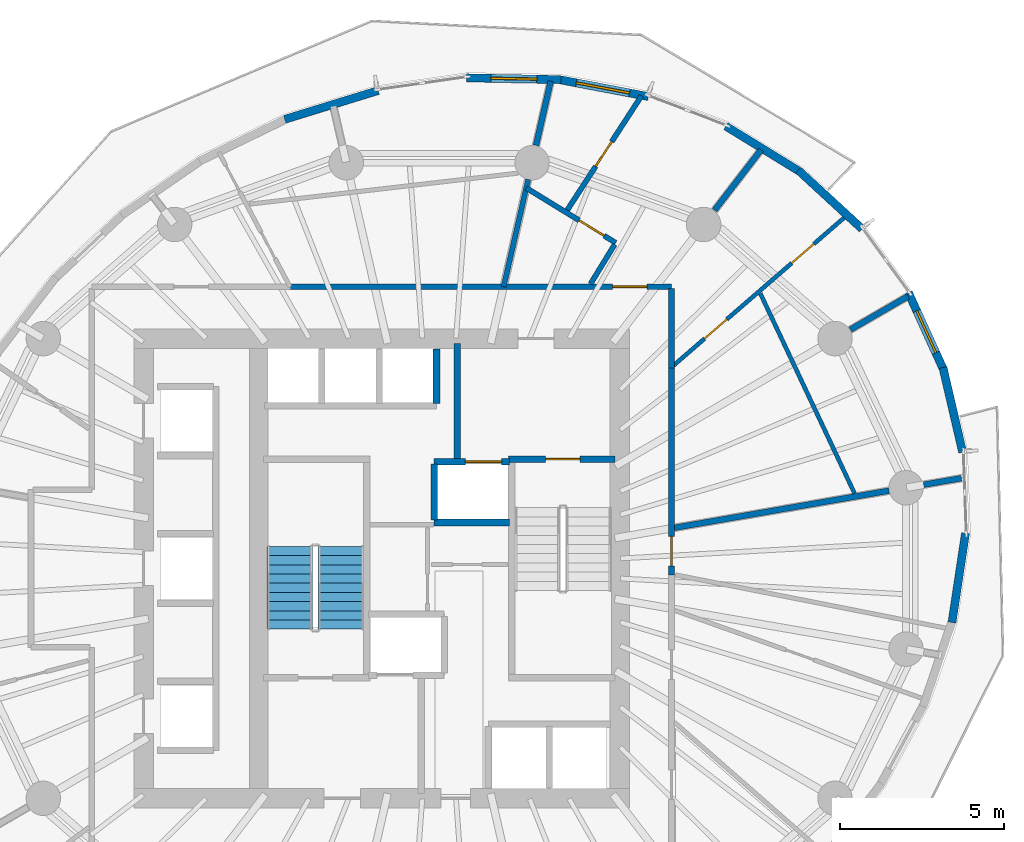
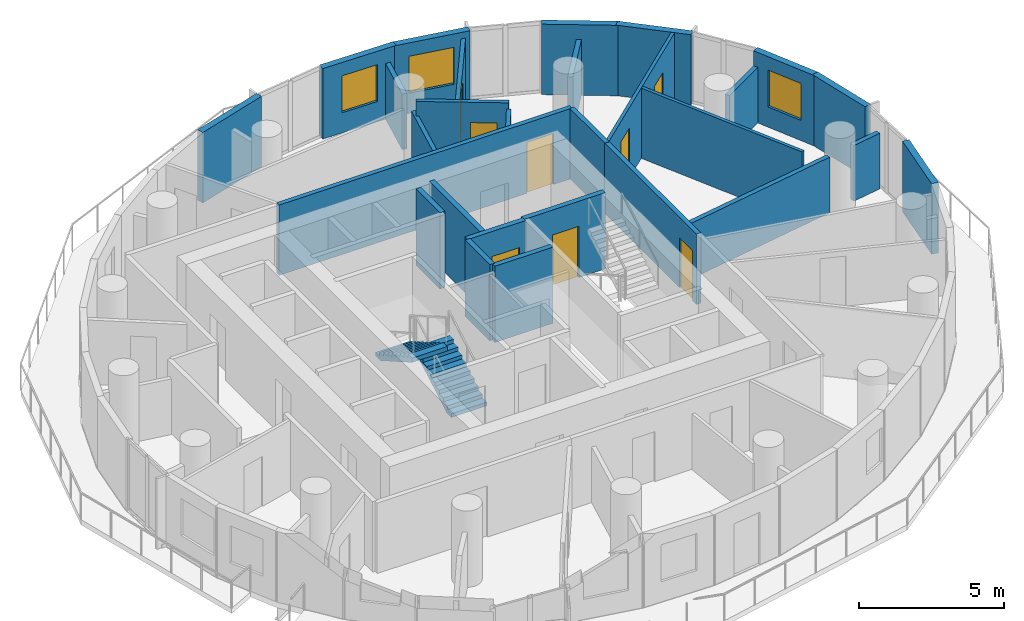
# One storey, part 8 of 14: 28 walls, 8 doors, 3 windows, 2 stair flights, 11 openings, 1 element without a shape of its own.
"""IFC4 building model written with IfcOpenShell, lengths in metres."""

import ifcopenshell
import ifcopenshell.guid

model = None  # the IFC model being written
_history = None  # IfcOwnerHistory: only IFC2X3 demands one
_inside = {}  # id of a spatial element -> (the spatial element, [elements in it])
_under = {}  # id of a project, library or spatial element -> (it, [spatial elements below it])
_declared = {}  # id of a project -> (the project, [libraries it declares])
_typed = {}  # id of a type object -> (the type object, [elements of that type])
_made_of = {}  # id of a material, layer set ... -> (it, [elements and type objects made of it])


def new_model(schema):
    """Start an empty IFC model of exactly this schema.

    Asked for "IFC4X3", IfcOpenShell would pick the latest addendum, in which some entities
    have other attributes; the version numbers below select the first issue.
    IFC2X3 requires an IfcOwnerHistory on every rooted entity: one is made here for all.
    """
    global model, _history
    if schema == "IFC4X3":
        model = ifcopenshell.file(schema_version=(4, 3, 0, 0))
    else:
        model = ifcopenshell.file(schema=schema)
    _inside.clear()
    _under.clear()
    _declared.clear()
    _typed.clear()
    _made_of.clear()
    _history = None
    if model.schema == "IFC2X3":
        org = make("IfcOrganization", Name="unknown")
        user = make(
            "IfcPersonAndOrganization",
            ThePerson=make("IfcPerson", FamilyName="unknown"),
            TheOrganization=org,
        )
        app = make(
            "IfcApplication",
            ApplicationDeveloper=org,
            Version="unknown",
            ApplicationFullName="unknown",
            ApplicationIdentifier="unknown",
        )
        _history = make(
            "IfcOwnerHistory",
            OwningUser=user,
            OwningApplication=app,
            ChangeAction="ADDED",
            CreationDate=0,
        )
    return model


def make(cls, **values):
    """One entity of the class cls with the attributes given. An attribute that is None is left unset."""
    return model.create_entity(
        cls, **{name: value for name, value in values.items() if value is not None}
    )


def rooted(cls, **values):
    """An entity with a GlobalId (a new one), such as an element, a storey or a relation."""
    return make(cls, GlobalId=ifcopenshell.guid.new(), OwnerHistory=_history, **values)


def si_unit(unit_type, name, prefix=None):
    """IfcSIUnit, for example si_unit("LENGTHUNIT", "METRE", prefix="MILLI")."""
    return make("IfcSIUnit", UnitType=unit_type, Prefix=prefix, Name=name)


def assignment(units):
    """IfcUnitAssignment: the units of a project."""
    return None if units is None else make("IfcUnitAssignment", Units=units)


def point(xyz):
    """IfcCartesianPoint."""
    return None if xyz is None else make("IfcCartesianPoint", Coordinates=xyz)


def direction(xyz):
    """IfcDirection."""
    return None if xyz is None else make("IfcDirection", DirectionRatios=xyz)


def frame(location, z_axis=None, x_axis=None):
    """IfcAxis2Placement3D, a coordinate frame: its origin and axes. An axis left out is left unset."""
    return make(
        "IfcAxis2Placement3D",
        Location=point(location),
        Axis=direction(z_axis),
        RefDirection=direction(x_axis),
    )


def frame_2d(location, x_axis=None):
    """IfcAxis2Placement2D, a coordinate frame in the plane: its origin and x axis."""
    return make(
        "IfcAxis2Placement2D", Location=point(location), RefDirection=direction(x_axis)
    )


def origin():
    """The frame at (0, 0, 0) with its axes left unset."""
    return frame((0.0, 0.0, 0.0))


def place(relative_to, where):
    """IfcLocalPlacement: puts the frame where relative to a parent placement (None: the world)."""
    return make(
        "IfcLocalPlacement", PlacementRelTo=relative_to, RelativePlacement=where
    )


def context(
    kind, dimensions, precision=None, world=None, true_north=None, identifier=None
):
    """IfcGeometricRepresentationContext, for example the 3D "Model" context."""
    return make(
        "IfcGeometricRepresentationContext",
        ContextIdentifier=identifier,
        ContextType=kind,
        CoordinateSpaceDimension=dimensions,
        Precision=precision,
        WorldCoordinateSystem=world,
        TrueNorth=true_north,
    )


def subcontext(parent, identifier, kind, view, scale=None):
    """IfcGeometricRepresentationSubContext, for example "Body" below "Model"."""
    return make(
        "IfcGeometricRepresentationSubContext",
        ContextIdentifier=identifier,
        ContextType=kind,
        ParentContext=parent,
        TargetScale=scale,
        TargetView=view,
    )


def project(units=None, contexts=None):
    """IfcProject with its units and contexts."""
    return rooted(
        "IfcProject",
        Name="project",
        RepresentationContexts=contexts,
        UnitsInContext=assignment(units),
    )


def spatial(cls, under=None, at=None, **own):
    """A site, building, storey or space (cls), placed at a placement, below another one or the project."""
    s = rooted(cls, ObjectPlacement=at, **own)
    if under is not None:
        _under.setdefault(under.id(), (under, []))[1].append(s)
    return s


def polyline(points):
    """IfcPolyline through the points."""
    return make("IfcPolyline", Points=[point(p) for p in points])


def profile(cls, at=None, kind="AREA", **sizes):
    """A parametric profile (cls). Its sizes go by their IFC names, for example OverallWidth=200.0."""
    return make(cls, ProfileType=kind, Position=at, **sizes)


def rectangle(**sizes):
    """IfcRectangleProfileDef."""
    return profile("IfcRectangleProfileDef", **sizes)


def outline(outer, holes=None, kind="AREA"):
    """IfcArbitraryClosedProfileDef: a profile drawn as a closed curve; with holes, ...WithVoids."""
    if holes is None:
        return make("IfcArbitraryClosedProfileDef", ProfileType=kind, OuterCurve=outer)
    return make(
        "IfcArbitraryProfileDefWithVoids",
        ProfileType=kind,
        OuterCurve=outer,
        InnerCurves=holes,
    )


def extrude(swept, where, along, depth):
    """IfcExtrudedAreaSolid: the profile swept, set in the frame where, extruded along a direction by depth."""
    return make(
        "IfcExtrudedAreaSolid",
        SweptArea=swept,
        Position=where,
        ExtrudedDirection=direction(along),
        Depth=depth,
    )


def shape(context_of_items, identifier, shape_type, items):
    """IfcShapeRepresentation: the items that make up one representation, for example the "Body"."""
    return make(
        "IfcShapeRepresentation",
        ContextOfItems=context_of_items,
        RepresentationIdentifier=identifier,
        RepresentationType=shape_type,
        Items=items,
    )


def material(Name=None, Category=None):
    """IfcMaterial."""
    return make("IfcMaterial", Name=Name, Category=Category)


def layer(
    of_material, thickness, ventilated=None, Name=None, Category=None, Priority=None
):
    """IfcMaterialLayer: one layer of a wall or slab, of a material (None: an air gap)."""
    return make(
        "IfcMaterialLayer",
        Material=of_material,
        LayerThickness=thickness,
        IsVentilated=ventilated,
        Name=Name,
        Category=Category,
        Priority=Priority,
    )


def layer_set(layers, Name=None):
    """IfcMaterialLayerSet."""
    return make("IfcMaterialLayerSet", MaterialLayers=layers, LayerSetName=Name)


def made_of(thing, what):
    """Note that an element or type object is made of a material, layer set ...; save() writes the relation."""
    if what is not None:
        _made_of.setdefault(what.id(), (what, []))[1].append(thing)
    return thing


def type_object(cls, material=None, **own):
    """A type object (cls), such as IfcWallType, which elements share."""
    return made_of(rooted(cls, **own), material)


def element(
    cls,
    number,
    at=None,
    inside=None,
    cuts=None,
    type_object=None,
    material=None,
    context=None,
    identifier="Body",
    shape_type=None,
    held_by="IfcProductDefinitionShape",
    body=None,
    shapes=None,
    **own,
):
    """One element of the class cls, such as IfcWall. Its Tag is "e" and its number.

    at: its placement. inside: the storey or other place that contains it. cuts: it is an
    opening in that element (IfcRelVoidsElement). A single representation is given by context,
    identifier, shape_type and body (its items); several are given by shapes. held_by: the class
    of the entity that holds the representations. save() writes the other relations.
    """
    e = rooted(cls, Tag="e%d" % number, ObjectPlacement=at, **own)
    if body is not None:
        shapes = [shape(context, identifier, shape_type, body)]
    if shapes is not None:
        e.Representation = make(held_by, Representations=shapes)
    if inside is not None:
        _inside.setdefault(inside.id(), (inside, []))[1].append(e)
    if cuts is not None:
        rooted(
            "IfcRelVoidsElement", RelatingBuildingElement=cuts, RelatedOpeningElement=e
        )
    if type_object is not None:
        _typed.setdefault(type_object.id(), (type_object, []))[1].append(e)
    return made_of(e, material)


def fill(opening, filler):
    """IfcRelFillsElement: the door or window that sits in an opening."""
    return rooted(
        "IfcRelFillsElement",
        RelatingOpeningElement=opening,
        RelatedBuildingElement=filler,
    )


def aggregate(whole, parts):
    """IfcRelAggregates: a whole, such as a stair, and the parts it consists of."""
    return rooted("IfcRelAggregates", RelatingObject=whole, RelatedObjects=parts)


def save(model, path):
    """Write the relations noted so far, then the file.

    IfcRelAggregates (storeys below a building ...), IfcRelContainedInSpatialStructure (elements
    in a storey), IfcRelDefinesByType, IfcRelAssociatesMaterial and IfcRelDeclares: one each for
    every whole, place, type object, material and project.
    """
    for whole, parts in _under.values():
        aggregate(whole, parts)
    for where, things in _inside.values():
        rooted(
            "IfcRelContainedInSpatialStructure",
            RelatedElements=things,
            RelatingStructure=where,
        )
    for kind, things in _typed.values():
        rooted("IfcRelDefinesByType", RelatedObjects=things, RelatingType=kind)
    for what, things in _made_of.values():
        rooted("IfcRelAssociatesMaterial", RelatedObjects=things, RelatingMaterial=what)
    for by, libraries in _declared.values():
        rooted("IfcRelDeclares", RelatingContext=by, RelatedDefinitions=libraries)
    model.write(path)


model = new_model("IFC4")

# Units and contexts
model_context = context("Model", 3, precision=1e-05, world=origin(), true_north=direction((0.0, 1.0)))
body_context = subcontext(model_context, "Body", "Model", "MODEL_VIEW")
ifc_project = project(units=[si_unit("LENGTHUNIT", "METRE"), si_unit("AREAUNIT", "SQUARE_METRE"), si_unit("VOLUMEUNIT", "CUBIC_METRE"), si_unit("PLANEANGLEUNIT", "RADIAN"), si_unit("MASSUNIT", "GRAM", prefix="KILO")], contexts=[model_context])

# Site, building, storey
site_placement = place(None, origin())
site = spatial("IfcSite", under=ifc_project, at=site_placement, CompositionType="ELEMENT")
building_placement = place(site_placement, origin())
building = spatial("IfcBuilding", under=site, at=building_placement, Name="Veldorim Arch Residences", CompositionType="ELEMENT")
storey_placement = place(building_placement, frame((0.0, 0.0, 129.760009765625)))
storey = spatial("IfcBuildingStorey", under=building, at=storey_placement, Name="L38", CompositionType="ELEMENT", Elevation=129.760009765625)

# Wall, openings, doors
ifc_material_1 = material(Name="Acoustic Gypsum Board", Category="gypsum")
ifc_layer_1 = layer(ifc_material_1, 0.125, Name="Acoustic Stud Room Partition Wall 125")
ifc_layer_set_1 = layer_set([ifc_layer_1], Name="Acoustic Gypsum Board")
wall_type_1 = type_object("IfcWallType", Name="Acoustic Stud Room Partition Wall 125", PredefinedType="PARTITIONING", material=ifc_layer_set_1)
wall_1_placement = place(storey_placement, frame((44.415283203125, 34.75244140625, 0.0), z_axis=(0.0, 0.0, 1.0), x_axis=(-0.755899043164, -0.654688197957, 0.0)))
wall_1 = element("IfcWall", 1, at=wall_1_placement, inside=storey, type_object=wall_type_1, Name="L38 interior wall WL-RES-L38-021", PredefinedType="PARTITIONING", context=body_context, shape_type="SweptSolid", body=[
    extrude(rectangle(XDim=7.05810546875, YDim=0.125, at=frame_2d((3.529052734375, 0.0))), origin(), (0.0, 0.0, 1.0), 2.955078125),
])
opening_1_placement = place(wall_1_placement, frame((1.322998046875, 0.0, 0.0)))
opening_1 = element("IfcOpeningElement", 2, at=opening_1_placement, cuts=wall_1, Name="Opening DR-INT", PredefinedType="OPENING", context=body_context, shape_type="SweptSolid", body=[
    extrude(rectangle(XDim=0.89990234375, YDim=2.10009765625, at=frame_2d((0.449951171875, 1.050048828125))), frame((0.0, 0.072509765625, 0.0), z_axis=(0.0, -1.0, 0.0), x_axis=(1.0, 0.0, 0.0)), (0.0, 0.0, 1.0), 0.14501953125),
])
opening_2_placement = place(wall_1_placement, frame((4.83154296875, 0.0, 0.0)))
opening_2 = element("IfcOpeningElement", 3, at=opening_2_placement, cuts=wall_1, Name="Opening DR-INT", PredefinedType="OPENING", context=body_context, shape_type="SweptSolid", body=[
    extrude(rectangle(XDim=0.89990234375, YDim=2.10009765625, at=frame_2d((0.449951171875, 1.050048828125))), frame((0.0, 0.072509765625, 0.0), z_axis=(0.0, -1.0, 0.0), x_axis=(1.0, 0.0, 0.0)), (0.0, 0.0, 1.0), 0.14501953125),
])
ifc_material_2 = material(Name="Engineered Timber", Category="wood")
door_type_1 = type_object("IfcDoorType", Name="Apartment Internal Room Timber Door 900x2100", OperationType="SINGLE_SWING_LEFT", PredefinedType="DOOR", material=ifc_material_2)
door_1_placement = place(opening_1_placement, origin())
door_1 = element("IfcDoor", 4, at=door_1_placement, inside=storey, type_object=door_type_1, Name="L38 interior door DR-RES-L38-009", OperationType="SINGLE_SWING_LEFT", OverallHeight=2.10009765625, OverallWidth=0.89990234375, PredefinedType="DOOR", context=body_context, shape_type="SweptSolid", body=[
    extrude(rectangle(XDim=0.89990234375, YDim=2.10009765625, at=frame_2d((0.449951171875, 1.050048828125))), frame((0.0, 0.02490234375, 0.0), z_axis=(0.0, -1.0, 0.0), x_axis=(1.0, 0.0, 0.0)), (0.0, 0.0, 1.0), 0.050048828125),
])
fill(opening_1, door_1)
door_2_placement = place(opening_2_placement, origin())
door_2 = element("IfcDoor", 5, at=door_2_placement, inside=storey, type_object=door_type_1, Name="L38 interior door DR-RES-L38-010", OperationType="SINGLE_SWING_RIGHT", OverallHeight=2.10009765625, OverallWidth=0.89990234375, PredefinedType="DOOR", context=body_context, shape_type="SweptSolid", body=[
    extrude(rectangle(XDim=0.89990234375, YDim=2.10009765625, at=frame_2d((0.449951171875, 1.050048828125))), frame((0.0, 0.02490234375, 0.0), z_axis=(0.0, -1.0, 0.0), x_axis=(1.0, 0.0, 0.0)), (0.0, 0.0, 1.0), 0.050048828125),
])
fill(opening_2, door_2)

# Walls
wall_2_placement = place(storey_placement, frame((44.6533203125, 26.284912109375, 0.0), z_axis=(0.0, 0.0, 1.0), x_axis=(-0.426326363779, 0.90456941776, 0.0)))
element("IfcWall", 6, at=wall_2_placement, inside=storey, type_object=wall_type_1, Name="L38 interior wall WL-RES-L38-025", PredefinedType="PARTITIONING", context=body_context, shape_type="SweptSolid", body=[
    extrude(rectangle(XDim=6.729248046875, YDim=0.125, at=frame_2d((3.36474609375, 0.0))), origin(), (0.0, 0.0, 1.0), 2.955078125),
])
ifc_material_3 = material(Name="Lightweight Masonry Block & Gypsum", Category="masonry")
ifc_layer_2 = layer(ifc_material_3, 0.179931640625, Name="Compartment & Corridor Fire-Rated Party Wall 180")
ifc_layer_set_2 = layer_set([ifc_layer_2], Name="Lightweight Masonry Block & Gypsum")
wall_type_2 = type_object("IfcWallType", Name="Compartment & Corridor Fire-Rated Party Wall 180", PredefinedType="PARTITIONING", material=ifc_layer_set_2)
wall_3_placement = place(storey_placement, frame((46.75830078125, 26.55078125, 0.0), z_axis=(0.0, 0.0, 1.0), x_axis=(0.98537549431, 0.170396992969, 0.0)))
element("IfcWall", 7, at=wall_3_placement, inside=storey, type_object=wall_type_2, Name="L38 interior wall WL-PIER-L38-01", PredefinedType="PARTITIONING", context=body_context, shape_type="SweptSolid", body=[
    extrude(rectangle(XDim=1.167724609375, YDim=0.179931640625, at=frame_2d((0.583984375, 0.0))), origin(), (0.0, 0.0, 1.0), 2.335693359375),
])
wall_4_placement = place(storey_placement, frame((44.527587890625, 31.27392578125, 0.0), z_axis=(0.0, 0.0, 1.0), x_axis=(0.86481084581, 0.502097800203, 0.0)))
element("IfcWall", 8, at=wall_4_placement, inside=storey, type_object=wall_type_2, Name="L38 interior wall WL-PIER-L38-02", PredefinedType="PARTITIONING", context=body_context, shape_type="SweptSolid", body=[
    extrude(rectangle(XDim=2.030029296875, YDim=0.179931640625, at=frame_2d((1.01513671875, 0.0))), origin(), (0.0, 0.0, 1.0), 2.335693359375),
])
wall_5_placement = place(storey_placement, frame((40.387939453125, 34.908447265625, 0.0), z_axis=(0.0, 0.0, 1.0), x_axis=(0.609553382458, 0.792745024541, 0.0)))
element("IfcWall", 9, at=wall_5_placement, inside=storey, type_object=wall_type_2, Name="L38 interior wall WL-PIER-L38-03", PredefinedType="PARTITIONING", context=body_context, shape_type="SweptSolid", body=[
    extrude(rectangle(XDim=2.32421875, YDim=0.179931640625, at=frame_2d((1.162109375, 0.0))), origin(), (0.0, 0.0, 1.0), 2.335693359375),
])
wall_6_placement = place(storey_placement, frame((34.950439453125, 36.88916015625, 0.0), z_axis=(0.0, 0.0, 1.0), x_axis=(0.2231492674, 0.974784286116, 0.0)))
element("IfcWall", 10, at=wall_6_placement, inside=storey, type_object=wall_type_2, Name="L38 interior wall WL-PIER-L38-04", PredefinedType="PARTITIONING", context=body_context, shape_type="SweptSolid", body=[
    extrude(rectangle(XDim=2.002197265625, YDim=0.179931640625, at=frame_2d((1.0009765625, 0.0))), origin(), (0.0, 0.0, 1.0), 2.335693359375),
])

# Wall, opening, door
wall_7_placement = place(storey_placement, frame((39.080078125, 30.158203125, 0.0), z_axis=(0.0, 0.0, 1.0), x_axis=(0.0, -1.0, 0.0)))
wall_7 = element("IfcWall", 11, at=wall_7_placement, inside=storey, type_object=wall_type_2, Name="L38 interior wall WL-RES-L38-003", PredefinedType="PARTITIONING", context=body_context, shape_type="SweptSolid", body=[
    extrude(rectangle(XDim=6.350341796875, YDim=0.179931640625, at=frame_2d((3.17529296875, 0.0))), origin(), (0.0, 0.0, 1.0), 2.955078125),
])
opening_3_placement = place(wall_7_placement, frame((5.18212890625, 0.0, 0.0)))
opening_3 = element("IfcOpeningElement", 12, at=opening_3_placement, cuts=wall_7, Name="Opening DR-INT", PredefinedType="OPENING", context=body_context, shape_type="SweptSolid", body=[
    extrude(rectangle(XDim=0.89990234375, YDim=2.10009765625, at=frame_2d((0.449951171875, 1.050048828125))), frame((0.0, 0.099853515625, 0.0), z_axis=(0.0, -1.0, 0.0), x_axis=(1.0, 0.0, 0.0)), (0.0, 0.0, 1.0), 0.199951171875),
])
door_3_placement = place(opening_3_placement, origin())
door_3 = element("IfcDoor", 13, at=door_3_placement, inside=storey, type_object=door_type_1, Name="L38 interior door DR-RES-L38-005", OperationType="SINGLE_SWING_LEFT", OverallHeight=2.10009765625, OverallWidth=0.89990234375, PredefinedType="DOOR", context=body_context, shape_type="SweptSolid", body=[
    extrude(rectangle(XDim=0.89990234375, YDim=2.10009765625, at=frame_2d((0.449951171875, 1.050048828125))), frame((0.0, 0.02490234375, 0.0), z_axis=(0.0, -1.0, 0.0), x_axis=(1.0, 0.0, 0.0)), (0.0, 0.0, 1.0), 0.050048828125),
])
fill(opening_3, door_3)

wall_8_placement = place(storey_placement, frame((27.435302734375, 32.580078125, 0.0), z_axis=(0.0, 0.0, 1.0), x_axis=(1.0, 0.0, 0.0)))
wall_8 = element("IfcWall", 14, at=wall_8_placement, inside=storey, type_object=wall_type_2, Name="L38 interior wall WL-RES-L38-004", PredefinedType="PARTITIONING", context=body_context, shape_type="SweptSolid", body=[
    extrude(rectangle(XDim=11.644775390625, YDim=0.179931640625, at=frame_2d((5.822265625, 0.0))), origin(), (0.0, 0.0, 1.0), 2.955078125),
])
opening_4_placement = place(wall_8_placement, frame((9.848388671875, 0.0, 0.0)))
opening_4 = element("IfcOpeningElement", 15, at=opening_4_placement, cuts=wall_8, Name="Opening DR-FLT", PredefinedType="OPENING", context=body_context, shape_type="SweptSolid", body=[
    extrude(rectangle(XDim=1.050048828125, YDim=2.14990234375, at=frame_2d((0.52490234375, 1.074951171875))), frame((0.0, 0.099853515625, 0.0), z_axis=(0.0, -1.0, 0.0), x_axis=(1.0, 0.0, 0.0)), (0.0, 0.0, 1.0), 0.199951171875),
])
ifc_material_4 = material(Name="Fire-Rated Timber", Category="wood")
door_type_2 = type_object("IfcDoorType", Name="Apartment Entrance Solid-Core Fire Door 1050x2150", OperationType="SINGLE_SWING_LEFT", PredefinedType="DOOR", material=ifc_material_4)
door_4_placement = place(opening_4_placement, origin())
door_4 = element("IfcDoor", 16, at=door_4_placement, inside=storey, type_object=door_type_2, Name="L38 interior door DR-RES-L38-007", OperationType="SINGLE_SWING_LEFT", OverallHeight=2.14990234375, OverallWidth=1.050048828125, PredefinedType="DOOR", context=body_context, shape_type="SweptSolid", body=[
    extrude(rectangle(XDim=1.050048828125, YDim=2.14990234375, at=frame_2d((0.52490234375, 1.074951171875))), frame((0.0, 0.02490234375, 0.0), z_axis=(0.0, -1.0, 0.0), x_axis=(1.0, 0.0, 0.0)), (0.0, 0.0, 1.0), 0.050048828125),
])
fill(opening_4, door_4)

# Walls
wall_9_placement = place(storey_placement, frame((39.080078125, 32.52001953125, 0.0), z_axis=(0.0, 0.0, 1.0), x_axis=(0.0, -1.0, 0.0)))
element("IfcWall", 17, at=wall_9_placement, inside=storey, type_object=wall_type_2, Name="L38 interior wall WL-RES-L38-005", PredefinedType="PARTITIONING", context=body_context, shape_type="SweptSolid", body=[
    extrude(rectangle(XDim=2.408203125, YDim=0.179931640625, at=frame_2d((1.2041015625, 0.0))), origin(), (0.0, 0.0, 1.0), 2.955078125),
])
wall_10_placement = place(storey_placement, frame((39.080078125, 25.2236328125, 0.0), z_axis=(0.0, 0.0, 1.0), x_axis=(0.985384524795, 0.17034476304, 0.0)))
element("IfcWall", 18, at=wall_10_placement, inside=storey, type_object=wall_type_2, Name="L38 interior wall WL-RES-L38-019", PredefinedType="PARTITIONING", context=body_context, shape_type="SweptSolid", body=[
    extrude(rectangle(XDim=6.7216796875, YDim=0.179931640625, at=frame_2d((3.36083984375, 0.0))), origin(), (0.0, 0.0, 1.0), 2.335693359375),
])

# Wall, opening, door
ifc_material_5 = material(Name="Concrete C50/60", Category="concrete")
ifc_layer_3 = layer(ifc_material_5, 0.199951171875, Name="Core Stair & Lift Shaft Enclosure Wall 200")
ifc_layer_set_3 = layer_set([ifc_layer_3], Name="Concrete C50/60")
wall_type_3 = type_object("IfcWallType", Name="Core Stair & Lift Shaft Enclosure Wall 200", PredefinedType="SHEAR", material=ifc_layer_set_3)
wall_11_placement = place(storey_placement, frame((34.110107421875, 27.330078125, 0.0), z_axis=(0.0, 0.0, 1.0), x_axis=(1.0, 0.0, 0.0)))
wall_11 = element("IfcWall", 19, at=wall_11_placement, inside=storey, type_object=wall_type_3, Name="L38 shaft wall WL-SHF-L38-ST2-N", PredefinedType="SHEAR", context=body_context, shape_type="SweptSolid", body=[
    extrude(rectangle(XDim=3.239990234375, YDim=0.199951171875, at=frame_2d((1.6201171875, 0.0))), origin(), (0.0, 0.0, 1.0), 3.199951171875),
])
opening_5_placement = place(wall_11_placement, frame((1.135009765625, 0.0, 0.0)))
opening_5 = element("IfcOpeningElement", 20, at=opening_5_placement, cuts=wall_11, Name="Opening DR-ST", PredefinedType="OPENING", context=body_context, shape_type="SweptSolid", body=[
    extrude(rectangle(XDim=1.050048828125, YDim=2.14990234375, at=frame_2d((0.52490234375, 1.074951171875))), frame((0.0, 0.10986328125, 0.0), z_axis=(0.0, -1.0, 0.0), x_axis=(1.0, 0.0, 0.0)), (0.0, 0.0, 1.0), 0.219970703125),
])
ifc_material_6 = material(Name="Fire-Rated Steel", Category="steel")
door_type_3 = type_object("IfcDoorType", Name="Exit Staircase Self-Closing Fire Door 1050x2150", OperationType="SINGLE_SWING_LEFT", PredefinedType="DOOR", material=ifc_material_6)
door_5_placement = place(opening_5_placement, origin())
door_5 = element("IfcDoor", 21, at=door_5_placement, inside=storey, type_object=door_type_3, Name="L38 interior door DR-L38-ST2", OperationType="SINGLE_SWING_RIGHT", OverallHeight=2.14990234375, OverallWidth=1.050048828125, PredefinedType="DOOR", context=body_context, shape_type="SweptSolid", body=[
    extrude(rectangle(XDim=1.050048828125, YDim=2.14990234375, at=frame_2d((0.52490234375, 1.074951171875))), frame((0.0, 0.02490234375, 0.0), z_axis=(0.0, -1.0, 0.0), x_axis=(1.0, 0.0, 0.0)), (0.0, 0.0, 1.0), 0.050048828125),
])
fill(opening_5, door_5)

# Wall
wall_12_placement = place(storey_placement, frame((32.550048828125, 27.35009765625, 0.0), z_axis=(0.0, 0.0, 1.0), x_axis=(0.0, 1.0, 0.0)))
element("IfcWall", 22, at=wall_12_placement, inside=storey, type_object=wall_type_3, Name="L38 shaft wall WL-FFL2-L38-W", PredefinedType="SHEAR", context=body_context, shape_type="SweptSolid", body=[
    extrude(rectangle(XDim=3.5, YDim=0.199951171875, at=frame_2d((1.75, 0.0))), origin(), (0.0, 0.0, 1.0), 3.199951171875),
])

# Wall, opening, door
wall_13_placement = place(storey_placement, frame((31.85009765625, 27.25, 0.0), z_axis=(0.0, 0.0, 1.0), x_axis=(1.0, 0.0, 0.0)))
wall_13 = element("IfcWall", 23, at=wall_13_placement, inside=storey, type_object=wall_type_3, Name="L38 shaft wall WL-FL02-L38-N", PredefinedType="SHEAR", context=body_context, shape_type="SweptSolid", body=[
    extrude(rectangle(XDim=2.2998046875, YDim=0.199951171875, at=frame_2d((1.14990234375, 0.0))), origin(), (0.0, 0.0, 1.0), 3.199951171875),
])
opening_6_placement = place(wall_13_placement, frame((0.949951171875, 0.0, 0.0)))
opening_6 = element("IfcOpeningElement", 24, at=opening_6_placement, cuts=wall_13, Name="Opening LD-FF", PredefinedType="OPENING", context=body_context, shape_type="SweptSolid", body=[
    extrude(rectangle(XDim=1.10009765625, YDim=2.14990234375, at=frame_2d((0.550048828125, 1.074951171875))), frame((0.0, 0.10986328125, 0.0), z_axis=(0.0, -1.0, 0.0), x_axis=(1.0, 0.0, 0.0)), (0.0, 0.0, 1.0), 0.219970703125),
])
ifc_material_7 = material(Name="Stainless Steel", Category="steel")
door_type_4 = type_object("IfcDoorType", Name="Firefighting Lift Bi-Parting Sliding Landing Door 1100x2150", OperationType="DOUBLE_DOOR_SLIDING", PredefinedType="DOOR", material=ifc_material_7)
door_6_placement = place(opening_6_placement, origin())
door_6 = element("IfcDoor", 25, at=door_6_placement, inside=storey, type_object=door_type_4, Name="L38 lift landing door LD-L38-FL02", OperationType="DOUBLE_DOOR_SLIDING", OverallHeight=2.14990234375, OverallWidth=1.10009765625, PredefinedType="DOOR", context=body_context, shape_type="SweptSolid", body=[
    extrude(rectangle(XDim=1.10009765625, YDim=2.14990234375, at=frame_2d((0.550048828125, 1.074951171875))), frame((0.0, 0.02490234375, 0.0), z_axis=(0.0, -1.0, 0.0), x_axis=(1.0, 0.0, 0.0)), (0.0, 0.0, 1.0), 0.050048828125),
])
fill(opening_6, door_6)

# Walls
wall_14_placement = place(storey_placement, frame((31.85009765625, 25.39990234375, 0.0), z_axis=(0.0, 0.0, 1.0), x_axis=(1.0, 0.0, 0.0)))
element("IfcWall", 26, at=wall_14_placement, inside=storey, type_object=wall_type_3, Name="L38 shaft wall WL-FL02-L38-S", PredefinedType="SHEAR", context=body_context, shape_type="SweptSolid", body=[
    extrude(rectangle(XDim=2.2998046875, YDim=0.199951171875, at=frame_2d((1.14990234375, 0.0))), origin(), (0.0, 0.0, 1.0), 3.199951171875),
])
wall_15_placement = place(storey_placement, frame((31.85009765625, 25.469970703125, 0.0), z_axis=(0.0, 0.0, 1.0), x_axis=(0.0, 1.0, 0.0)))
element("IfcWall", 27, at=wall_15_placement, inside=storey, type_object=wall_type_3, Name="L38 shaft wall WL-FL02-L38-W", PredefinedType="SHEAR", context=body_context, shape_type="SweptSolid", body=[
    extrude(rectangle(XDim=1.7099609375, YDim=0.199951171875, at=frame_2d((0.85498046875, 0.0))), origin(), (0.0, 0.0, 1.0), 3.199951171875),
])
wall_16_placement = place(storey_placement, frame((31.919921875, 29.02001953125, 0.0), z_axis=(0.0, 0.0, 1.0), x_axis=(0.0, 1.0, 0.0)))
element("IfcWall", 28, at=wall_16_placement, inside=storey, type_object=wall_type_3, Name="L38 shaft wall WL-B3-L38-E", PredefinedType="SHEAR", context=body_context, shape_type="SweptSolid", body=[
    extrude(rectangle(XDim=1.659912109375, YDim=0.199951171875, at=frame_2d((0.830078125, 0.0))), origin(), (0.0, 0.0, 1.0), 3.199951171875),
])
ifc_material_8 = material(Name="Precast concrete C40/50", Category="concrete")
ifc_layer_4 = layer(ifc_material_8, 0.25, Name="Tower Terracotta Spandrel & Pier Wall 250")
ifc_layer_set_4 = layer_set([ifc_layer_4], Name="Precast concrete C40/50")
wall_type_4 = type_object("IfcWallType", Name="Tower Terracotta Spandrel & Pier Wall 250", PredefinedType="SOLIDWALL", material=ifc_layer_set_4)
wall_17_placement = place(storey_placement, frame((42.938720703125, 36.132080078125, 0.0), z_axis=(0.0, 0.0, 1.0), x_axis=(0.73572884951, -0.677276206579, 0.0)))
element("IfcWall", 29, at=wall_17_placement, inside=storey, type_object=wall_type_4, Name="L38 terracotta facade wall 02", PredefinedType="SOLIDWALL", context=body_context, shape_type="SweptSolid", body=[
    extrude(rectangle(XDim=2.64794921875, YDim=0.25, at=frame_2d((1.323974609375, 0.0))), origin(), (0.0, 0.0, 1.0), 2.9599609375),
])
wall_18_placement = place(storey_placement, frame((40.734619140625, 37.472900390625, 0.0), z_axis=(0.0, 0.0, 1.0), x_axis=(0.852103133134, -0.523373910797, 0.0)))
element("IfcWall", 30, at=wall_18_placement, inside=storey, type_object=wall_type_4, Name="L38 terracotta facade wall 03", PredefinedType="SOLIDWALL", context=body_context, shape_type="SweptSolid", body=[
    extrude(rectangle(XDim=2.69287109375, YDim=0.25, at=frame_2d((1.346435546875, 0.0))), origin(), (0.0, 0.0, 1.0), 2.9599609375),
])

# Wall, opening, window
wall_19_placement = place(storey_placement, frame((35.6044921875, 38.901123046875, 0.0), z_axis=(0.0, 0.0, 1.0), x_axis=(0.982412055756, -0.18672587583, 0.0)))
wall_19 = element("IfcWall", 31, at=wall_19_placement, inside=storey, type_object=wall_type_4, Name="L38 terracotta facade wall 05", PredefinedType="SOLIDWALL", context=body_context, shape_type="SweptSolid", body=[
    extrude(rectangle(XDim=2.817626953125, YDim=0.25, at=frame_2d((1.40869140625, 0.0))), origin(), (0.0, 0.0, 1.0), 2.9599609375),
])
opening_7_placement = place(wall_19_placement, frame((0.583984375, 0.0, 0.85009765625)))
opening_7 = element("IfcOpeningElement", 32, at=opening_7_placement, cuts=wall_19, Name="Opening WN-03", PredefinedType="OPENING", context=body_context, shape_type="SweptSolid", body=[
    extrude(rectangle(XDim=1.64990234375, YDim=1.550048828125, at=frame_2d((0.824951171875, 0.77490234375))), frame((0.0, 0.135009765625, 0.0), z_axis=(0.0, -1.0, 0.0), x_axis=(1.0, 0.0, 0.0)), (0.0, 0.0, 1.0), 0.27001953125),
])
ifc_material_9 = material(Name="Laminated Low-E Glass", Category="glass")
window_type_1 = type_object("IfcWindowType", Name="Residential Wide Window 1650x1550", PartitioningType="SINGLE_PANEL", PredefinedType="WINDOW", material=ifc_material_9)
window_1_placement = place(opening_7_placement, origin())
window_1 = element("IfcWindow", 33, at=window_1_placement, inside=storey, type_object=window_type_1, Name="L38 solar-control facade window 05", OverallHeight=1.550048828125, OverallWidth=1.64990234375, PartitioningType="SINGLE_PANEL", PredefinedType="WINDOW", context=body_context, shape_type="SweptSolid", body=[
    extrude(rectangle(XDim=1.64990234375, YDim=1.550048828125, at=frame_2d((0.824951171875, 0.77490234375))), frame((0.0, 0.030029296875, 0.0), z_axis=(0.0, -1.0, 0.0), x_axis=(1.0, 0.0, 0.0)), (0.0, 0.0, 1.0), 0.06005859375),
])
fill(opening_7, window_1)

wall_20_placement = place(storey_placement, frame((32.83349609375, 38.944580078125, 0.0), z_axis=(0.0, 0.0, 1.0), x_axis=(0.99981990109, -0.018978023714, 0.0)))
wall_20 = element("IfcWall", 34, at=wall_20_placement, inside=storey, type_object=wall_type_4, Name="L38 terracotta facade wall 06", PredefinedType="SOLIDWALL", context=body_context, shape_type="SweptSolid", body=[
    extrude(rectangle(XDim=2.881591796875, YDim=0.25, at=frame_2d((1.44091796875, 0.0))), origin(), (0.0, 0.0, 1.0), 2.9599609375),
])
opening_8_placement = place(wall_20_placement, frame((0.740966796875, 0.0, 0.85009765625)))
opening_8 = element("IfcOpeningElement", 35, at=opening_8_placement, cuts=wall_20, Name="Opening WN-02", PredefinedType="OPENING", context=body_context, shape_type="SweptSolid", body=[
    extrude(rectangle(XDim=1.39990234375, YDim=1.550048828125, at=frame_2d((0.699951171875, 0.77490234375))), frame((0.0, 0.135009765625, 0.0), z_axis=(0.0, -1.0, 0.0), x_axis=(1.0, 0.0, 0.0)), (0.0, 0.0, 1.0), 0.27001953125),
])
ifc_material_10 = material(Name="Laminated Low-E Glass", Category="glass")
window_type_2 = type_object("IfcWindowType", Name="Residential Casement Window 1400x1550", PartitioningType="SINGLE_PANEL", PredefinedType="WINDOW", material=ifc_material_10)
window_2_placement = place(opening_8_placement, origin())
window_2 = element("IfcWindow", 36, at=window_2_placement, inside=storey, type_object=window_type_2, Name="L38 solar-control facade window 06", OverallHeight=1.550048828125, OverallWidth=1.39990234375, PartitioningType="SINGLE_PANEL", PredefinedType="WINDOW", context=body_context, shape_type="SweptSolid", body=[
    extrude(rectangle(XDim=1.39990234375, YDim=1.550048828125, at=frame_2d((0.699951171875, 0.77490234375))), frame((0.0, 0.030029296875, 0.0), z_axis=(0.0, -1.0, 0.0), x_axis=(1.0, 0.0, 0.0)), (0.0, 0.0, 1.0), 0.06005859375),
])
fill(opening_8, window_2)

# Walls
wall_21_placement = place(storey_placement, frame((27.297607421875, 37.681396484375, 0.0), z_axis=(0.0, 0.0, 1.0), x_axis=(0.955653025963, 0.294494981227, 0.0)))
element("IfcWall", 37, at=wall_21_placement, inside=storey, type_object=wall_type_4, Name="L38 terracotta facade wall 08", PredefinedType="SOLIDWALL", context=body_context, shape_type="SweptSolid", body=[
    extrude(rectangle(XDim=2.97705078125, YDim=0.25, at=frame_2d((1.488525390625, 0.0))), origin(), (0.0, 0.0, 1.0), 2.9599609375),
])
wall_22_placement = place(storey_placement, frame((48.033935546875, 25.07470703125, 0.0), z_axis=(0.0, 0.0, 1.0), x_axis=(-0.149576734229, -0.988750120393, 0.0)))
element("IfcWall", 38, at=wall_22_placement, inside=storey, type_object=wall_type_4, Name="L38 terracotta facade wall 33", PredefinedType="SOLIDWALL", context=body_context, shape_type="SweptSolid", body=[
    extrude(rectangle(XDim=2.751953125, YDim=0.25, at=frame_2d((1.3759765625, 0.0))), origin(), (0.0, 0.0, 1.0), 2.9599609375),
])
wall_23_placement = place(storey_placement, frame((47.34619140625, 30.1201171875, 0.0), z_axis=(0.0, 0.0, 1.0), x_axis=(0.226865331245, -0.973926137589, 0.0)))
element("IfcWall", 39, at=wall_23_placement, inside=storey, type_object=wall_type_4, Name="L38 terracotta facade wall 35", PredefinedType="SOLIDWALL", context=body_context, shape_type="SweptSolid", body=[
    extrude(rectangle(XDim=2.6484375, YDim=0.25, at=frame_2d((1.32421875, 0.0))), origin(), (0.0, 0.0, 1.0), 2.9599609375),
])

# Wall, opening, window
wall_24_placement = place(storey_placement, frame((46.295166015625, 32.399658203125, 0.0), z_axis=(0.0, 0.0, 1.0), x_axis=(0.41458087789, -0.910012470073, 0.0)))
wall_24 = element("IfcWall", 40, at=wall_24_placement, inside=storey, type_object=wall_type_4, Name="L38 terracotta facade wall 36", PredefinedType="SOLIDWALL", context=body_context, shape_type="SweptSolid", body=[
    extrude(rectangle(XDim=2.6240234375, YDim=0.25, at=frame_2d((1.31201171875, 0.0))), origin(), (0.0, 0.0, 1.0), 2.9599609375),
])
opening_9_placement = place(wall_24_placement, frame((0.612060546875, 0.0, 0.85009765625)))
opening_9 = element("IfcOpeningElement", 41, at=opening_9_placement, cuts=wall_24, Name="Opening WN-02", PredefinedType="OPENING", context=body_context, shape_type="SweptSolid", body=[
    extrude(rectangle(XDim=1.39990234375, YDim=1.550048828125, at=frame_2d((0.699951171875, 0.77490234375))), frame((0.0, 0.135009765625, 0.0), z_axis=(0.0, -1.0, 0.0), x_axis=(1.0, 0.0, 0.0)), (0.0, 0.0, 1.0), 0.27001953125),
])
window_3_placement = place(opening_9_placement, origin())
window_3 = element("IfcWindow", 42, at=window_3_placement, inside=storey, type_object=window_type_2, Name="L38 solar-control facade window 36", OverallHeight=1.550048828125, OverallWidth=1.39990234375, PartitioningType="SINGLE_PANEL", PredefinedType="WINDOW", context=body_context, shape_type="SweptSolid", body=[
    extrude(rectangle(XDim=1.39990234375, YDim=1.550048828125, at=frame_2d((0.699951171875, 0.77490234375))), frame((0.0, 0.030029296875, 0.0), z_axis=(0.0, -1.0, 0.0), x_axis=(1.0, 0.0, 0.0)), (0.0, 0.0, 1.0), 0.06005859375),
])
fill(opening_9, window_3)

# Wall, opening, door
ifc_material_11 = material(Name="Moisture-Resistant Gypsum & Stud", Category="gypsum")
ifc_layer_5 = layer(ifc_material_11, 0.159912109375, Name="Wet-Area Moisture-Resistant Plumbing Wall 160")
ifc_layer_set_5 = layer_set([ifc_layer_5], Name="Moisture-Resistant Gypsum & Stud")
wall_type_5 = type_object("IfcWallType", Name="Wet-Area Moisture-Resistant Plumbing Wall 160", PredefinedType="PLUMBINGWALL", material=ifc_layer_set_5)
wall_25_placement = place(storey_placement, frame((35.859619140625, 34.850341796875, 0.0), z_axis=(0.0, 0.0, 1.0), x_axis=(0.544769331989, 0.83858593771, 0.0)))
wall_25 = element("IfcWall", 43, at=wall_25_placement, inside=storey, type_object=wall_type_5, Name="L38 interior wall WL-RES-L38-020", PredefinedType="PLUMBINGWALL", context=body_context, shape_type="SweptSolid", body=[
    extrude(rectangle(XDim=4.23193359375, YDim=0.159912109375, at=frame_2d((2.115966796875, 0.0))), origin(), (0.0, 0.0, 1.0), 2.69189453125),
])
opening_10_placement = place(wall_25_placement, frame((1.666015625, 0.0, 0.0)))
opening_10 = element("IfcOpeningElement", 44, at=opening_10_placement, cuts=wall_25, Name="Opening DR-WC", PredefinedType="OPENING", context=body_context, shape_type="SweptSolid", body=[
    extrude(rectangle(XDim=0.89990234375, YDim=2.10009765625, at=frame_2d((0.449951171875, 1.050048828125))), frame((0.0, 0.08984375, 0.0), z_axis=(0.0, -1.0, 0.0), x_axis=(1.0, 0.0, 0.0)), (0.0, 0.0, 1.0), 0.179931640625),
])
ifc_material_12 = material(Name="Laminate Timber", Category="wood")
door_type_5 = type_object("IfcDoorType", Name="Bathroom & Accessible WC Moisture-Sealed Door 900x2100", OperationType="SINGLE_SWING_LEFT", PredefinedType="DOOR", material=ifc_material_12)
door_7_placement = place(opening_10_placement, origin())
door_7 = element("IfcDoor", 45, at=door_7_placement, inside=storey, type_object=door_type_5, Name="L38 interior door DR-RES-L38-008", OperationType="SINGLE_SWING_RIGHT", OverallHeight=2.10009765625, OverallWidth=0.89990234375, PredefinedType="DOOR", context=body_context, shape_type="SweptSolid", body=[
    extrude(rectangle(XDim=0.89990234375, YDim=2.10009765625, at=frame_2d((0.449951171875, 1.050048828125))), frame((0.0, 0.02490234375, 0.0), z_axis=(0.0, -1.0, 0.0), x_axis=(1.0, 0.0, 0.0)), (0.0, 0.0, 1.0), 0.050048828125),
])
fill(opening_10, door_7)

wall_26_placement = place(storey_placement, frame((37.378173828125, 33.918701171875, 0.0), z_axis=(0.0, 0.0, 1.0), x_axis=(-0.852404729952, 0.522882564593, 0.0)))
wall_26 = element("IfcWall", 46, at=wall_26_placement, inside=storey, type_object=wall_type_5, Name="L38 interior wall WL-RES-L38-022", PredefinedType="PLUMBINGWALL", context=body_context, shape_type="SweptSolid", body=[
    extrude(rectangle(XDim=3.197021484375, YDim=0.159912109375, at=frame_2d((1.5986328125, 0.0))), origin(), (0.0, 0.0, 1.0), 2.955078125),
])
opening_11_placement = place(wall_26_placement, frame((0.410888671875, 0.0, 0.0)))
opening_11 = element("IfcOpeningElement", 47, at=opening_11_placement, cuts=wall_26, Name="Opening DR-INT", PredefinedType="OPENING", context=body_context, shape_type="SweptSolid", body=[
    extrude(rectangle(XDim=0.89990234375, YDim=2.10009765625, at=frame_2d((0.449951171875, 1.050048828125))), frame((0.0, 0.08984375, 0.0), z_axis=(0.0, -1.0, 0.0), x_axis=(1.0, 0.0, 0.0)), (0.0, 0.0, 1.0), 0.179931640625),
])
door_8_placement = place(opening_11_placement, origin())
door_8 = element("IfcDoor", 48, at=door_8_placement, inside=storey, type_object=door_type_1, Name="L38 interior door DR-RES-L38-011", OperationType="SINGLE_SWING_LEFT", OverallHeight=2.10009765625, OverallWidth=0.89990234375, PredefinedType="DOOR", context=body_context, shape_type="SweptSolid", body=[
    extrude(rectangle(XDim=0.89990234375, YDim=2.10009765625, at=frame_2d((0.449951171875, 1.050048828125))), frame((0.0, 0.02490234375, 0.0), z_axis=(0.0, -1.0, 0.0), x_axis=(1.0, 0.0, 0.0)), (0.0, 0.0, 1.0), 0.050048828125),
])
fill(opening_11, door_8)

# Walls
wall_27_placement = place(storey_placement, frame((36.609375, 32.665283203125, 0.0), z_axis=(0.0, 0.0, 1.0), x_axis=(0.522744698365, 0.852489284585, 0.0)))
element("IfcWall", 49, at=wall_27_placement, inside=storey, type_object=wall_type_5, Name="L38 interior wall WL-RES-L38-023", PredefinedType="PLUMBINGWALL", context=body_context, shape_type="SweptSolid", body=[
    extrude(rectangle(XDim=1.410400390625, YDim=0.159912109375, at=frame_2d((0.705078125, 0.0))), origin(), (0.0, 0.0, 1.0), 2.69189453125),
])
wall_28_placement = place(storey_placement, frame((33.9638671875, 32.580078125, 0.0), z_axis=(0.0, 0.0, 1.0), x_axis=(0.223211982142, 0.974769927228, 0.0)))
element("IfcWall", 50, at=wall_28_placement, inside=storey, type_object=wall_type_5, Name="L38 interior wall WL-RES-L38-024", PredefinedType="PLUMBINGWALL", context=body_context, shape_type="SweptSolid", body=[
    extrude(rectangle(XDim=3.355712890625, YDim=0.159912109375, at=frame_2d((1.677734375, 0.0))), origin(), (0.0, 0.0, 1.0), 2.335693359375),
])

# Stair, stair flights
ifc_material_13 = material(Name="Concrete C40/50", Category="concrete")
stair_type = type_object("IfcStairType", Name="Reinforced Concrete Dogleg Exit Staircase", PredefinedType="HALF_TURN_STAIR", material=ifc_material_13)
stair_placement = place(storey_placement, origin())
stair = element("IfcStair", 51, at=stair_placement, inside=storey, type_object=stair_type, Name="L38 Exit Staircase ST-1", PredefinedType="HALF_TURN_STAIR")
ifc_material_14 = material(Name="Concrete C40/50", Category="concrete")
stair_flight_type = type_object("IfcStairFlightType", Name="Reinforced Concrete Stair Flight 1400", PredefinedType="STRAIGHT", material=ifc_material_14)
stair_flight_1_placement = place(storey_placement, frame((29.010009765625, 22.14990234375, 0.0), z_axis=(0.0, 0.0, 1.0), x_axis=(0.0, 1.0, 0.0)))
stair_flight_1 = element("IfcStairFlight", 52, at=stair_flight_1_placement, type_object=stair_flight_type, Name="ST-1 flight 1", NumberOfRisers=10, NumberOfTreads=9, PredefinedType="STRAIGHT", RiserHeight=0.16, TreadLength=0.28, context=body_context, shape_type="SweptSolid", body=[
    extrude(outline(polyline([(0.0, 0.0), (0.0, 0.159912109375), (0.280029296875, 0.159912109375), (0.280029296875, 0.320068359375), (0.56005859375, 0.320068359375), (0.56005859375, 0.47998046875), (0.840087890625, 0.47998046875), (0.840087890625, 0.639892578125), (1.1201171875, 0.639892578125), (1.1201171875, 0.800048828125), (1.39990234375, 0.800048828125), (1.39990234375, 0.9599609375), (1.679931640625, 0.9599609375), (1.679931640625, 1.1201171875), (1.9599609375, 1.1201171875), (1.9599609375, 1.280029296875), (2.239990234375, 1.280029296875), (2.239990234375, 1.43994140625), (2.52001953125, 1.43994140625), (2.52001953125, 1.60009765625), (2.52001953125, 1.255859375), (0.322265625, 0.0), (0.0, 0.0)])), frame((0.0, 0.699951171875, 0.0), z_axis=(0.0, -1.0, 0.0), x_axis=(1.0, 0.0, 0.0)), (0.0, 0.0, 1.0), 1.39990234375),
])
stair_flight_2_placement = place(storey_placement, frame((27.449951171875, 24.669921875, 1.60009765625), z_axis=(0.0, 0.0, 1.0), x_axis=(0.0, -1.0, 0.0)))
stair_flight_2 = element("IfcStairFlight", 53, at=stair_flight_2_placement, type_object=stair_flight_type, Name="ST-1 flight 2", NumberOfRisers=10, NumberOfTreads=9, PredefinedType="STRAIGHT", RiserHeight=0.16, TreadLength=0.28, context=body_context, shape_type="SweptSolid", body=[
    extrude(outline(polyline([(0.0, 0.0), (0.0, 0.159912109375), (0.280029296875, 0.159912109375), (0.280029296875, 0.320068359375), (0.56005859375, 0.320068359375), (0.56005859375, 0.47998046875), (0.840087890625, 0.47998046875), (0.840087890625, 0.639892578125), (1.1201171875, 0.639892578125), (1.1201171875, 0.800048828125), (1.39990234375, 0.800048828125), (1.39990234375, 0.9599609375), (1.679931640625, 0.9599609375), (1.679931640625, 1.1201171875), (1.9599609375, 1.1201171875), (1.9599609375, 1.280029296875), (2.239990234375, 1.280029296875), (2.239990234375, 1.43994140625), (2.52001953125, 1.43994140625), (2.52001953125, 1.60009765625), (2.52001953125, 1.255859375), (0.322265625, 0.0), (0.0, 0.0)])), frame((0.0, 0.699951171875, 0.0), z_axis=(0.0, -1.0, 0.0), x_axis=(1.0, 0.0, 0.0)), (0.0, 0.0, 1.0), 1.39990234375),
])
aggregate(stair, [stair_flight_1, stair_flight_2])

save(model, "model.ifc")
